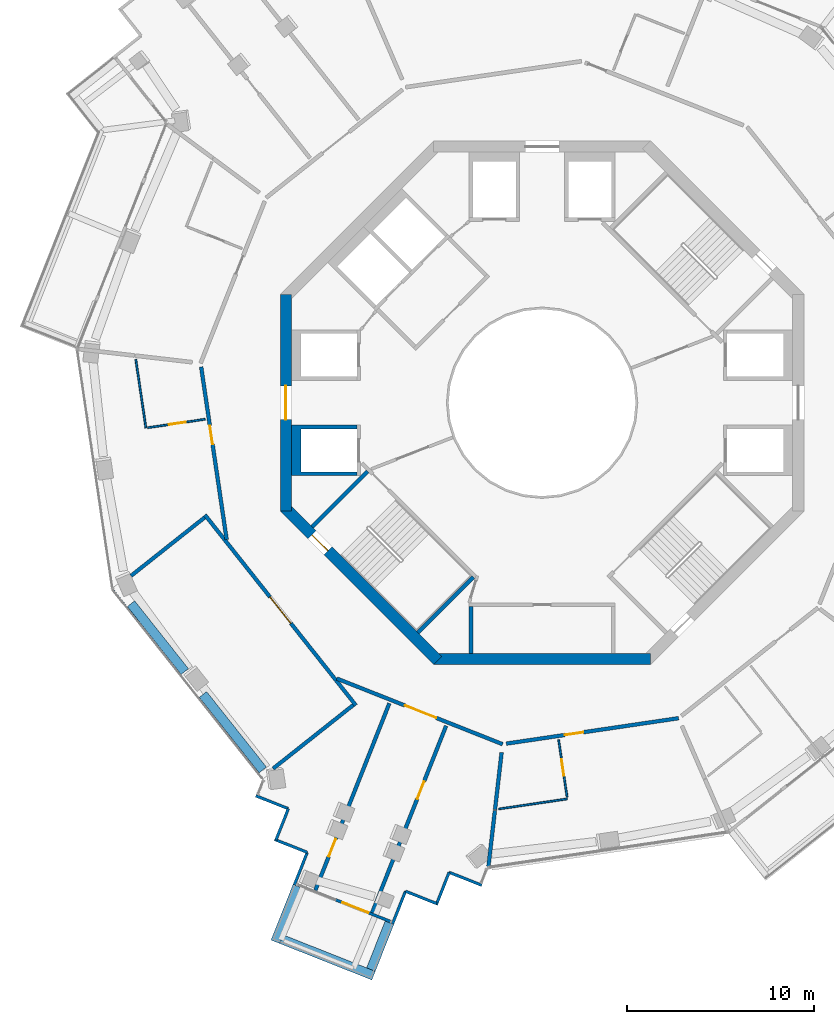
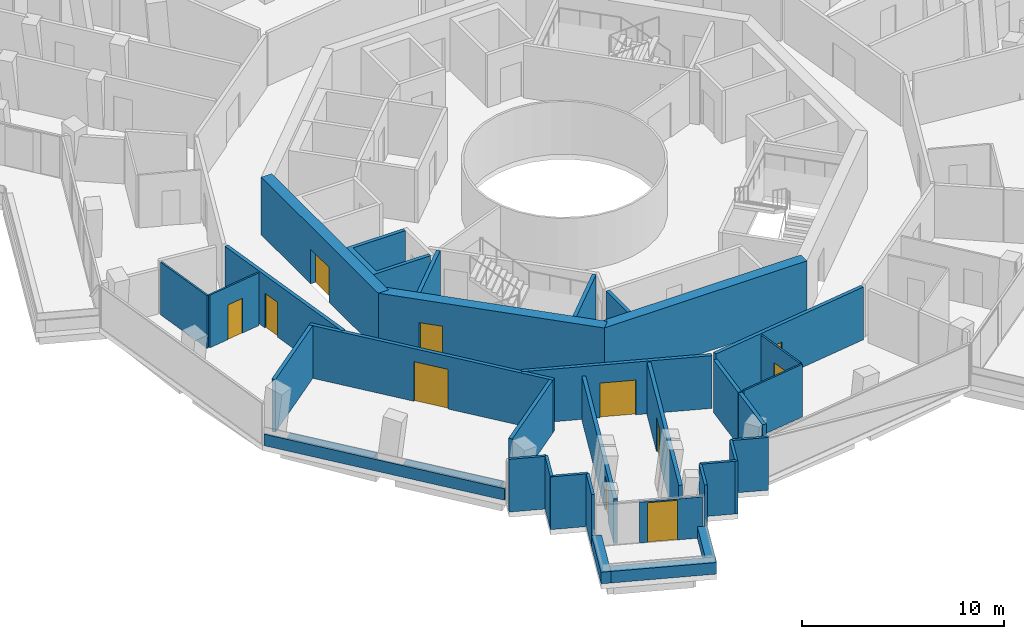
# One storey, part 14 of 21: 36 walls, 11 doors, 11 openings.
"""IFC4 building model written with IfcOpenShell, lengths in metres."""

from ifc_helpers import new_model, si_unit, direction, frame, frame_2d, origin, place, context, subcontext, project, spatial, polyline, rectangle, outline, extrude, material, layer, layer_set, type_object, element, fill, save


model = new_model("IFC4")

# Units and contexts
model_context = context("Model", 3, precision=1e-05, world=origin(), true_north=direction((0.0, 1.0)))
body_context = subcontext(model_context, "Body", "Model", "MODEL_VIEW")
ifc_project = project(units=[si_unit("LENGTHUNIT", "METRE"), si_unit("AREAUNIT", "SQUARE_METRE"), si_unit("VOLUMEUNIT", "CUBIC_METRE"), si_unit("PLANEANGLEUNIT", "RADIAN"), si_unit("MASSUNIT", "GRAM", prefix="KILO")], contexts=[model_context])

# Site, building, storey
site_placement = place(None, origin())
site = spatial("IfcSite", under=ifc_project, at=site_placement, CompositionType="ELEMENT")
building_placement = place(site_placement, origin())
building = spatial("IfcBuilding", under=site, at=building_placement, Name="Verdalira Terraces Hotel", CompositionType="ELEMENT")
storey_placement = place(building_placement, frame((0.0, 0.0, 190.5)))
storey = spatial("IfcBuildingStorey", under=building, at=storey_placement, Name="L46", CompositionType="ELEMENT", Elevation=190.5)

# Walls
ifc_material_1 = material(Name="Concrete C40", Category="concrete")
ifc_layer_1 = layer(ifc_material_1, 0.5)
ifc_layer_set_1 = layer_set([ifc_layer_1], Name="Balcony planter trough with tree")
wall_type_1 = type_object("IfcWallType", Name="Balcony planter trough with tree", PredefinedType="SOLIDWALL", material=ifc_layer_set_1)
wall_1_placement = place(storey_placement, frame((-13.087646, -25.857178, 0.0), z_axis=(0.0, 0.0, 1.0), x_axis=(-0.368151541, -0.9297658, 0.0)))
element("IfcWall", 1, at=wall_1_placement, inside=storey, type_object=wall_type_1, Name="Balcony planter", PredefinedType="SOLIDWALL", context=body_context, shape_type="SweptSolid", body=[
    extrude(rectangle(XDim=3.198975, YDim=0.5, at=frame_2d((1.599609, 0.0))), origin(), (0.0, 0.0, 1.0), 0.699951),
])
wall_2_placement = place(storey_placement, frame((-13.940918, -28.691162, 0.0), z_axis=(0.0, 0.0, 1.0), x_axis=(0.929782965, -0.368108188, 0.0)))
element("IfcWall", 2, at=wall_2_placement, inside=storey, type_object=wall_type_1, Name="Balcony planter", PredefinedType="SOLIDWALL", context=body_context, shape_type="SweptSolid", body=[
    extrude(rectangle(XDim=5.299805, YDim=0.5, at=frame_2d((2.649902, 0.0))), origin(), (0.0, 0.0, 1.0), 0.699951),
])
wall_3_placement = place(storey_placement, frame((-9.153564, -30.317627, 0.0), z_axis=(0.0, 0.0, 1.0), x_axis=(0.368175534, 0.929756299, 0.0)))
element("IfcWall", 3, at=wall_3_placement, inside=storey, type_object=wall_type_1, Name="Balcony planter", PredefinedType="SOLIDWALL", context=body_context, shape_type="SweptSolid", body=[
    extrude(rectangle(XDim=2.698975, YDim=0.5, at=frame_2d((1.349609, 0.0))), origin(), (0.0, 0.0, 1.0), 0.699951),
])
ifc_material_2 = material(Name="Moisture-resistant gypsum board partition")
ifc_layer_2 = layer(ifc_material_2, 0.10009765625)
ifc_layer_set_2 = layer_set([ifc_layer_2], Name="Bathroom partition 100 mm")
wall_type_2 = type_object("IfcWallType", Name="Bathroom partition 100 mm", PredefinedType="PARTITIONING", material=ifc_layer_set_2)
wall_4_placement = place(storey_placement, frame((-21.188232, -1.351318, 0.0), z_axis=(0.0, 0.0, 1.0), x_axis=(-0.14607086, 0.98927413, 0.0)))
element("IfcWall", 4, at=wall_4_placement, inside=storey, type_object=wall_type_2, Name="Bathroom partition", PredefinedType="PARTITIONING", context=body_context, shape_type="SweptSolid", body=[
    extrude(rectangle(XDim=3.703857, YDim=0.100098, at=frame_2d((1.852051, 0.0))), origin(), (0.0, 0.0, 1.0), 3.189941),
])

# Wall, opening, door
wall_5_placement = place(storey_placement, frame((-21.089355, -1.336914, 0.0), z_axis=(0.0, 0.0, 1.0), x_axis=(0.98926089, 0.146160501, 0.0)))
wall_5 = element("IfcWall", 5, at=wall_5_placement, inside=storey, type_object=wall_type_2, Name="Bathroom partition", PredefinedType="PARTITIONING", context=body_context, shape_type="SweptSolid", body=[
    extrude(rectangle(XDim=3.100098, YDim=0.100098, at=frame_2d((1.550049, 0.0))), origin(), (0.0, 0.0, 1.0), 3.189941),
])
opening_1_placement = place(wall_5_placement, frame((1.149902, 0.0, 0.0)))
opening_1 = element("IfcOpeningElement", 6, at=opening_1_placement, cuts=wall_5, Name="Opening L46-107", PredefinedType="OPENING", context=body_context, shape_type="SweptSolid", body=[
    extrude(rectangle(XDim=0.899902, YDim=2.100098, at=frame_2d((0.449951, 1.050049))), frame((0.0, 0.060059, 0.0), z_axis=(0.0, -1.0, 0.0), x_axis=(1.0, 0.0, 0.0)), (0.0, 0.0, 1.0), 0.120117),
])
ifc_material_3 = material(Name="Timber door", Category="wood")
door_type_1 = type_object("IfcDoorType", Name="Bathroom door 900 x 2100", OperationType="NOTDEFINED", PredefinedType="DOOR", material=ifc_material_3)
door_1_placement = place(opening_1_placement, origin())
door_1 = element("IfcDoor", 7, at=door_1_placement, inside=storey, type_object=door_type_1, Name="Bathroom door 4603", OperationType="SINGLE_SWING_LEFT", OverallHeight=2.10009765625, OverallWidth=0.89990234375, PredefinedType="DOOR", context=body_context, shape_type="SweptSolid", body=[
    extrude(rectangle(XDim=0.899902, YDim=2.100098, at=frame_2d((0.449951, 1.050049))), frame((0.0, 0.024902, 0.0), z_axis=(0.0, -1.0, 0.0), x_axis=(1.0, 0.0, 0.0)), (0.0, 0.0, 1.0), 0.050049),
])
fill(opening_1, door_1)

# Wall
wall_6_placement = place(storey_placement, frame((1.351318, -21.188232, 0.0), z_axis=(0.0, 0.0, 1.0), x_axis=(-0.98927413, -0.14607086, 0.0)))
element("IfcWall", 8, at=wall_6_placement, inside=storey, type_object=wall_type_2, Name="Bathroom partition", PredefinedType="PARTITIONING", context=body_context, shape_type="SweptSolid", body=[
    extrude(rectangle(XDim=3.703857, YDim=0.100098, at=frame_2d((1.852051, 0.0))), origin(), (0.0, 0.0, 1.0), 3.189941),
])

# Wall, opening, door
wall_7_placement = place(storey_placement, frame((1.336914, -21.089355, 0.0), z_axis=(0.0, 0.0, 1.0), x_axis=(-0.146160501, 0.98926089, 0.0)))
wall_7 = element("IfcWall", 9, at=wall_7_placement, inside=storey, type_object=wall_type_2, Name="Bathroom partition", PredefinedType="PARTITIONING", context=body_context, shape_type="SweptSolid", body=[
    extrude(rectangle(XDim=3.100098, YDim=0.100098, at=frame_2d((1.550049, 0.0))), origin(), (0.0, 0.0, 1.0), 3.189941),
])
opening_2_placement = place(wall_7_placement, frame((1.149902, 0.0, 0.0)))
opening_2 = element("IfcOpeningElement", 10, at=opening_2_placement, cuts=wall_7, Name="Opening L46-112", PredefinedType="OPENING", context=body_context, shape_type="SweptSolid", body=[
    extrude(rectangle(XDim=0.899902, YDim=2.100098, at=frame_2d((0.449951, 1.050049))), frame((0.0, 0.060059, 0.0), z_axis=(0.0, -1.0, 0.0), x_axis=(1.0, 0.0, 0.0)), (0.0, 0.0, 1.0), 0.120117),
])
door_2_placement = place(opening_2_placement, origin())
door_2 = element("IfcDoor", 11, at=door_2_placement, inside=storey, type_object=door_type_1, Name="Bathroom door 4605", OperationType="SINGLE_SWING_LEFT", OverallHeight=2.10009765625, OverallWidth=0.89990234375, PredefinedType="DOOR", context=body_context, shape_type="SweptSolid", body=[
    extrude(rectangle(XDim=0.899902, YDim=2.100098, at=frame_2d((0.449951, 1.050049))), frame((0.0, 0.024902, 0.0), z_axis=(0.0, -1.0, 0.0), x_axis=(1.0, 0.0, 0.0)), (0.0, 0.0, 1.0), 0.050049),
])
fill(opening_2, door_2)

# Walls
ifc_material_4 = material(Name="Concrete C50", Category="concrete")
ifc_layer_3 = layer(ifc_material_4, 0.199951171875)
ifc_layer_set_3 = layer_set([ifc_layer_3], Name="Core RC wall 200 C50")
wall_type_3 = type_object("IfcWallType", Name="Core RC wall 200 C50", PredefinedType="SOLIDWALL", material=ifc_layer_set_3)
wall_8_placement = place(storey_placement, origin())
element("IfcWall", 12, at=wall_8_placement, inside=storey, type_object=wall_type_3, Name="L46 shaft wall W2", PredefinedType="SOLIDWALL", context=body_context, shape_type="SweptSolid", body=[
    extrude(outline(polyline([(-13.399902, -3.899902), (-13.399902, -1.199951), (-9.899902, -1.199951), (-9.899902, -1.399902), (-12.899902, -1.399902), (-12.899902, -3.699951), (-9.899902, -3.699951), (-9.899902, -3.899902), (-13.399902, -3.899902)])), origin(), (0.0, 0.0, 1.0), 3.189941),
])
wall_9_placement = place(storey_placement, frame((-3.800049, -10.899902, 0.0), z_axis=(0.0, 0.0, 1.0), x_axis=(0.0, -1.0, 0.0)))
element("IfcWall", 13, at=wall_9_placement, inside=storey, type_object=wall_type_3, Name="L46 store side wall", PredefinedType="SOLIDWALL", context=body_context, shape_type="SweptSolid", body=[
    extrude(rectangle(XDim=2.5, YDim=0.199951, at=frame_2d((1.25, 0.0))), origin(), (0.0, 0.0, 1.0), 3.189941),
])
for number, where, z_axis, x_axis, name in (
    (14, (-9.33374, -3.677002, 0.0), (0.0, 0.0, 1.0), (-0.707135845, -0.707077716, 0.0), "L46 stair ST2 end wall 1"),
    (15, (-3.677002, -9.33374, 0.0), (0.0, 0.0, 1.0), (-0.707077716, -0.707135845, 0.0), "L46 stair ST2 end wall 2"),
):
    element("IfcWall", number, at=place(storey_placement, frame(where, z_axis=z_axis, x_axis=x_axis)), inside=storey, type_object=wall_type_3, Name=name, PredefinedType="SOLIDWALL", context=body_context, shape_type="SweptSolid", body=[
        extrude(rectangle(XDim=4.199951, YDim=0.199951, at=frame_2d((2.100098, 0.0))), origin(), (0.0, 0.0, 1.0), 3.189941),
    ])

# Wall, opening, door
ifc_material_5 = material(Name="Concrete C60", Category="concrete")
ifc_layer_4 = layer(ifc_material_5, 0.60009765625)
ifc_layer_set_4 = layer_set([ifc_layer_4], Name="Core wall 600 C60")
wall_type_4 = type_object("IfcWallType", Name="Core wall 600 C60", PredefinedType="SHEAR", material=ifc_layer_set_4)
wall_10_placement = place(storey_placement, frame((-13.699951, 5.799072, 0.0), z_axis=(0.0, 0.0, 1.0), x_axis=(0.0, -1.0, 0.0)))
wall_10 = element("IfcWall", 16, at=wall_10_placement, inside=storey, type_object=wall_type_4, Name="Core wall CW-L46-5", PredefinedType="SHEAR", context=body_context, shape_type="SweptSolid", body=[
    extrude(rectangle(XDim=11.598145, YDim=0.600098, at=frame_2d((5.799072, 0.0))), origin(), (0.0, 0.0, 1.0), 3.5),
])
opening_3_placement = place(wall_10_placement, frame((4.898926, 0.0, 0.0)))
opening_3 = element("IfcOpeningElement", 17, at=opening_3_placement, cuts=wall_10, Name="Opening L46-815", PredefinedType="OPENING", context=body_context, shape_type="SweptSolid", body=[
    extrude(rectangle(XDim=1.800049, YDim=2.100098, at=frame_2d((0.899902, 1.050049))), frame((0.0, 0.310059, 0.0), z_axis=(0.0, -1.0, 0.0), x_axis=(1.0, 0.0, 0.0)), (0.0, 0.0, 1.0), 0.620117),
])
ifc_material_6 = material(Name="Steel fire door", Category="steel")
door_type_2 = type_object("IfcDoorType", Name="Core entry door pair 1800 x 2100", OperationType="NOTDEFINED", PredefinedType="DOOR", material=ifc_material_6)
door_3_placement = place(opening_3_placement, origin())
door_3 = element("IfcDoor", 18, at=door_3_placement, inside=storey, type_object=door_type_2, Name="Core entry door L46 4", OperationType="DOUBLE_DOOR_SINGLE_SWING", OverallHeight=2.10009765625, OverallWidth=1.800048828125, PredefinedType="DOOR", context=body_context, shape_type="SweptSolid", body=[
    extrude(rectangle(XDim=1.800049, YDim=2.100098, at=frame_2d((0.899902, 1.050049))), frame((0.0, 0.024902, 0.0), z_axis=(0.0, -1.0, 0.0), x_axis=(1.0, 0.0, 0.0)), (0.0, 0.0, 1.0), 0.050049),
])
fill(opening_3, door_3)

wall_11_placement = place(storey_placement, frame((-13.787842, -5.586914, 0.0), z_axis=(0.0, 0.0, 1.0), x_axis=(0.707106781, -0.707106781, 0.0)))
wall_11 = element("IfcWall", 19, at=wall_11_placement, inside=storey, type_object=wall_type_4, Name="Core wall CW-L46-6", PredefinedType="SHEAR", context=body_context, shape_type="SweptSolid", body=[
    extrude(rectangle(XDim=11.5979, YDim=0.600098, at=frame_2d((5.798828, 0.0))), origin(), (0.0, 0.0, 1.0), 3.5),
])
opening_4_placement = place(wall_11_placement, frame((2.099121, 0.0, 0.0)))
opening_4 = element("IfcOpeningElement", 20, at=opening_4_placement, cuts=wall_11, Name="Opening L46-817", PredefinedType="OPENING", context=body_context, shape_type="SweptSolid", body=[
    extrude(rectangle(XDim=1.199951, YDim=2.100098, at=frame_2d((0.600098, 1.050049))), frame((0.0, 0.310059, 0.0), z_axis=(0.0, -1.0, 0.0), x_axis=(1.0, 0.0, 0.0)), (0.0, 0.0, 1.0), 0.620117),
])
ifc_material_7 = material(Name="Steel fire door", Category="steel")
door_type_3 = type_object("IfcDoorType", Name="Stair door 1200 x 2100", OperationType="NOTDEFINED", PredefinedType="DOOR", material=ifc_material_7)
door_4_placement = place(opening_4_placement, origin())
door_4 = element("IfcDoor", 21, at=door_4_placement, inside=storey, type_object=door_type_3, Name="Stair exit door ST2 L46", OperationType="SINGLE_SWING_LEFT", OverallHeight=2.10009765625, OverallWidth=1.199951171875, PredefinedType="DOOR", context=body_context, shape_type="SweptSolid", body=[
    extrude(rectangle(XDim=1.199951, YDim=2.100098, at=frame_2d((0.600098, 1.050049))), frame((0.0, 0.024902, 0.0), z_axis=(0.0, -1.0, 0.0), x_axis=(1.0, 0.0, 0.0)), (0.0, 0.0, 1.0), 0.050049),
])
fill(opening_4, door_4)

# Wall
wall_12_placement = place(storey_placement, frame((-5.799072, -13.699951, 0.0), z_axis=(0.0, 0.0, 1.0), x_axis=(1.0, 0.0, 0.0)))
element("IfcWall", 22, at=wall_12_placement, inside=storey, type_object=wall_type_4, Name="Core wall CW-L46-7", PredefinedType="SHEAR", context=body_context, shape_type="SweptSolid", body=[
    extrude(rectangle(XDim=11.598145, YDim=0.600098, at=frame_2d((5.799072, 0.0))), origin(), (0.0, 0.0, 1.0), 3.5),
])

# Wall, opening, door
ifc_material_8 = material(Name="Fire-rated gypsum board wall")
ifc_layer_5 = layer(ifc_material_8, 0.199951171875)
ifc_layer_set_5 = layer_set([ifc_layer_5], Name="Demising wall 200 mm")
wall_type_5 = type_object("IfcWallType", Name="Demising wall 200 mm", PredefinedType="SOLIDWALL", material=ifc_layer_set_5)
wall_13_placement = place(storey_placement, frame((-5.133545, -17.282227, 0.0), z_axis=(0.0, 0.0, 1.0), x_axis=(-0.368118806, -0.929778761, 0.0)))
wall_13 = element("IfcWall", 23, at=wall_13_placement, inside=storey, type_object=wall_type_5, Name="Demising wall", PredefinedType="SOLIDWALL", context=body_context, shape_type="SweptSolid", body=[
    extrude(rectangle(XDim=10.75, YDim=0.199951, at=frame_2d((5.375, 0.0))), origin(), (0.0, 0.0, 1.0), 3.189941),
])
opening_5_placement = place(wall_13_placement, frame((3.199951, 0.0, 0.0)))
opening_5 = element("IfcOpeningElement", 24, at=opening_5_placement, cuts=wall_13, Name="Opening L46-110", PredefinedType="OPENING", context=body_context, shape_type="SweptSolid", body=[
    extrude(rectangle(XDim=1.0, YDim=2.100098, at=frame_2d((0.5, 1.050049))), frame((0.0, 0.109863, 0.0), z_axis=(0.0, -1.0, 0.0), x_axis=(1.0, 0.0, 0.0)), (0.0, 0.0, 1.0), 0.219971),
])
ifc_material_9 = material(Name="Timber fire door", Category="wood")
door_type_4 = type_object("IfcDoorType", Name="Public room door 1000 x 2100", OperationType="NOTDEFINED", PredefinedType="DOOR", material=ifc_material_9)
door_5_placement = place(opening_5_placement, origin())
door_5 = element("IfcDoor", 25, at=door_5_placement, inside=storey, type_object=door_type_4, Name="Public room door 4604", OperationType="SINGLE_SWING_LEFT", OverallHeight=2.10009765625, OverallWidth=1.0, PredefinedType="DOOR", context=body_context, shape_type="SweptSolid", body=[
    extrude(rectangle(XDim=1.0, YDim=2.100098, at=frame_2d((0.5, 1.050049))), frame((0.0, 0.024902, 0.0), z_axis=(0.0, -1.0, 0.0), x_axis=(1.0, 0.0, 0.0)), (0.0, 0.0, 1.0), 0.050049),
])
fill(opening_5, door_5)

# Walls
wall_14_placement = place(storey_placement, frame((-2.523193, -21.807129, 0.0), z_axis=(0.0, 0.0, 1.0), x_axis=(-0.114959513, -0.993370178, 0.0)))
element("IfcWall", 26, at=wall_14_placement, inside=storey, type_object=wall_type_5, Name="Demising wall", PredefinedType="SOLIDWALL", context=body_context, shape_type="SweptSolid", body=[
    extrude(rectangle(XDim=3.011475, YDim=0.199951, at=frame_2d((1.505859, 0.0))), origin(), (0.0, 0.0, 1.0), 3.189941),
])
wall_15_placement = place(storey_placement, frame((-2.164551, -18.707275, 0.0), z_axis=(0.0, 0.0, 1.0), x_axis=(-0.114901389, -0.993376903, 0.0)))
element("IfcWall", 27, at=wall_15_placement, inside=storey, type_object=wall_type_5, Name="Demising wall", PredefinedType="SOLIDWALL", context=body_context, shape_type="SweptSolid", body=[
    extrude(rectangle(XDim=3.074463, YDim=0.199951, at=frame_2d((1.537109, 0.0))), origin(), (0.0, 0.0, 1.0), 3.189941),
])

# Wall, opening, door
ifc_material_10 = material(Name="Fire-rated gypsum board wall")
ifc_layer_6 = layer(ifc_material_10, 0.199951171875)
ifc_layer_set_6 = layer_set([ifc_layer_6], Name="Demising wall 200 mm to beam soffit")
wall_type_6 = type_object("IfcWallType", Name="Demising wall 200 mm to beam soffit", PredefinedType="SOLIDWALL", material=ifc_layer_set_6)
wall_16_placement = place(storey_placement, frame((-12.126221, -26.075439, 0.0), z_axis=(0.0, 0.0, 1.0), x_axis=(0.368118806, 0.929778761, 0.0)))
wall_16 = element("IfcWall", 28, at=wall_16_placement, inside=storey, type_object=wall_type_6, Name="Demising wall", PredefinedType="SOLIDWALL", context=body_context, shape_type="SweptSolid", body=[
    extrude(rectangle(XDim=10.75, YDim=0.199951, at=frame_2d((5.375, 0.0))), origin(), (0.0, 0.0, 1.0), 2.689941),
])
opening_6_placement = place(wall_16_placement, frame((1.949951, 0.0, 0.0)))
opening_6 = element("IfcOpeningElement", 29, at=opening_6_placement, cuts=wall_16, Name="Opening L46-109", PredefinedType="OPENING", context=body_context, shape_type="SweptSolid", body=[
    extrude(rectangle(XDim=1.0, YDim=2.100098, at=frame_2d((0.5, 1.050049))), frame((0.0, 0.109863, 0.0), z_axis=(0.0, -1.0, 0.0), x_axis=(1.0, 0.0, 0.0)), (0.0, 0.0, 1.0), 0.219971),
])
door_6_placement = place(opening_6_placement, origin())
door_6 = element("IfcDoor", 30, at=door_6_placement, inside=storey, type_object=door_type_4, Name="Public room door 4604", OperationType="SINGLE_SWING_LEFT", OverallHeight=2.10009765625, OverallWidth=1.0, PredefinedType="DOOR", context=body_context, shape_type="SweptSolid", body=[
    extrude(rectangle(XDim=1.0, YDim=2.100098, at=frame_2d((0.5, 1.050049))), frame((0.0, 0.024902, 0.0), z_axis=(0.0, -1.0, 0.0), x_axis=(1.0, 0.0, 0.0)), (0.0, 0.0, 1.0), 0.050049),
])
fill(opening_6, door_6)

ifc_material_11 = material(Name="Fire-rated gypsum board wall")
ifc_layer_7 = layer(ifc_material_11, 0.199951171875)
ifc_layer_set_7 = layer_set([ifc_layer_7], Name="Guest corridor wall 200 mm")
wall_type_7 = type_object("IfcWallType", Name="Guest corridor wall 200 mm", PredefinedType="SOLIDWALL", material=ifc_layer_set_7)
wall_17_placement = place(storey_placement, frame((-16.869873, -7.321289, 0.0), z_axis=(0.0, 0.0, 1.0), x_axis=(-0.146065336, 0.989274945, 0.0)))
wall_17 = element("IfcWall", 31, at=wall_17_placement, inside=storey, type_object=wall_type_7, Name="Guest corridor wall", PredefinedType="SOLIDWALL", context=body_context, shape_type="SweptSolid", body=[
    extrude(rectangle(XDim=9.33667, YDim=0.199951, at=frame_2d((4.668457, 0.0))), origin(), (0.0, 0.0, 1.0), 3.189941),
])
opening_7_placement = place(wall_17_placement, frame((5.149902, 0.0, 0.0)))
opening_7 = element("IfcOpeningElement", 32, at=opening_7_placement, cuts=wall_17, Name="Opening L46-106", PredefinedType="OPENING", context=body_context, shape_type="SweptSolid", body=[
    extrude(rectangle(XDim=1.0, YDim=2.100098, at=frame_2d((0.5, 1.050049))), frame((0.0, 0.109863, 0.0), z_axis=(0.0, -1.0, 0.0), x_axis=(1.0, 0.0, 0.0)), (0.0, 0.0, 1.0), 0.219971),
])
ifc_material_12 = material(Name="Timber fire door", Category="wood")
door_type_5 = type_object("IfcDoorType", Name="Guest entry door 1000 x 2100", OperationType="NOTDEFINED", PredefinedType="DOOR", material=ifc_material_12)
door_7_placement = place(opening_7_placement, origin())
door_7 = element("IfcDoor", 33, at=door_7_placement, inside=storey, type_object=door_type_5, Name="Guest entry door 4603", OperationType="SINGLE_SWING_LEFT", OverallHeight=2.10009765625, OverallWidth=1.0, PredefinedType="DOOR", context=body_context, shape_type="SweptSolid", body=[
    extrude(rectangle(XDim=1.0, YDim=2.100098, at=frame_2d((0.5, 1.050049))), frame((0.0, 0.024902, 0.0), z_axis=(0.0, -1.0, 0.0), x_axis=(1.0, 0.0, 0.0)), (0.0, 0.0, 1.0), 0.050049),
])
fill(opening_7, door_7)

wall_18_placement = place(storey_placement, frame((-2.113037, -18.262939, 0.0), z_axis=(0.0, 0.0, 1.0), x_axis=(-0.929773939, 0.368130985, 0.0)))
wall_18 = element("IfcWall", 34, at=wall_18_placement, inside=storey, type_object=wall_type_7, Name="Guest corridor wall", PredefinedType="SOLIDWALL", context=body_context, shape_type="SweptSolid", body=[
    extrude(rectangle(XDim=9.536621, YDim=0.199951, at=frame_2d((4.768311, 0.0))), origin(), (0.0, 0.0, 1.0), 3.189941),
])
opening_8_placement = place(wall_18_placement, frame((3.819336, 0.0, 0.0)))
opening_8 = element("IfcOpeningElement", 35, at=opening_8_placement, cuts=wall_18, Name="Opening L46-108", PredefinedType="OPENING", context=body_context, shape_type="SweptSolid", body=[
    extrude(rectangle(XDim=1.800049, YDim=2.100098, at=frame_2d((0.899902, 1.050049))), frame((0.0, 0.109863, 0.0), z_axis=(0.0, -1.0, 0.0), x_axis=(1.0, 0.0, 0.0)), (0.0, 0.0, 1.0), 0.219971),
])
ifc_material_13 = material(Name="Timber fire door", Category="wood")
door_type_6 = type_object("IfcDoorType", Name="Public room double door 1800 x 2100", OperationType="NOTDEFINED", PredefinedType="DOOR", material=ifc_material_13)
door_8_placement = place(opening_8_placement, origin())
door_8 = element("IfcDoor", 36, at=door_8_placement, inside=storey, type_object=door_type_6, Name="Public room double door 4604", OperationType="DOUBLE_DOOR_SINGLE_SWING", OverallHeight=2.10009765625, OverallWidth=1.800048828125, PredefinedType="DOOR", context=body_context, shape_type="SweptSolid", body=[
    extrude(rectangle(XDim=1.800049, YDim=2.100098, at=frame_2d((0.899902, 1.050049))), frame((0.0, 0.024902, 0.0), z_axis=(0.0, -1.0, 0.0), x_axis=(1.0, 0.0, 0.0)), (0.0, 0.0, 1.0), 0.050049),
])
fill(opening_8, door_8)

wall_19_placement = place(storey_placement, frame((7.301514, -16.872803, 0.0), z_axis=(0.0, 0.0, 1.0), x_axis=(-0.989275099, -0.146064299, 0.0)))
wall_19 = element("IfcWall", 37, at=wall_19_placement, inside=storey, type_object=wall_type_7, Name="Guest corridor wall", PredefinedType="SOLIDWALL", context=body_context, shape_type="SweptSolid", body=[
    extrude(rectangle(XDim=9.31665, YDim=0.199951, at=frame_2d((4.658203, 0.0))), origin(), (0.0, 0.0, 1.0), 3.189941),
])
opening_9_placement = place(wall_19_placement, frame((5.149902, 0.0, 0.0)))
opening_9 = element("IfcOpeningElement", 38, at=opening_9_placement, cuts=wall_19, Name="Opening L46-111", PredefinedType="OPENING", context=body_context, shape_type="SweptSolid", body=[
    extrude(rectangle(XDim=1.0, YDim=2.100098, at=frame_2d((0.5, 1.050049))), frame((0.0, 0.109863, 0.0), z_axis=(0.0, -1.0, 0.0), x_axis=(1.0, 0.0, 0.0)), (0.0, 0.0, 1.0), 0.219971),
])
door_9_placement = place(opening_9_placement, origin())
door_9 = element("IfcDoor", 39, at=door_9_placement, inside=storey, type_object=door_type_5, Name="Guest entry door 4605", OperationType="SINGLE_SWING_LEFT", OverallHeight=2.10009765625, OverallWidth=1.0, PredefinedType="DOOR", context=body_context, shape_type="SweptSolid", body=[
    extrude(rectangle(XDim=1.0, YDim=2.100098, at=frame_2d((0.5, 1.050049))), frame((0.0, 0.024902, 0.0), z_axis=(0.0, -1.0, 0.0), x_axis=(1.0, 0.0, 0.0)), (0.0, 0.0, 1.0), 0.050049),
])
fill(opening_9, door_9)

ifc_material_14 = material(Name="Terracotta cladding", Category="masonry")
ifc_layer_8 = layer(ifc_material_14, 0.199951171875)
ifc_layer_set_8 = layer_set([ifc_layer_8], Name="Loggia back wall 200")
wall_type_8 = type_object("IfcWallType", Name="Loggia back wall 200", PredefinedType="SOLIDWALL", material=ifc_layer_set_8)
wall_20_placement = place(storey_placement, frame((-9.958008, -16.186768, 0.0), z_axis=(0.0, 0.0, 1.0), x_axis=(-0.621141056, 0.783698787, 0.0)))
wall_20 = element("IfcWall", 40, at=wall_20_placement, inside=storey, type_object=wall_type_8, Name="Loggia back wall", PredefinedType="SOLIDWALL", context=body_context, shape_type="SweptSolid", body=[
    extrude(rectangle(XDim=13.000244, YDim=0.199951, at=frame_2d((6.5, 0.0))), origin(), (0.0, 0.0, 1.0), 3.189941),
])
opening_10_placement = place(wall_20_placement, frame((5.600098, 0.0, 0.0)))
opening_10 = element("IfcOpeningElement", 41, at=opening_10_placement, cuts=wall_20, Name="Opening L46-L01", PredefinedType="OPENING", context=body_context, shape_type="SweptSolid", body=[
    extrude(rectangle(XDim=1.800049, YDim=2.399902, at=frame_2d((0.899902, 1.199951))), frame((0.0, 0.109863, 0.0), z_axis=(0.0, -1.0, 0.0), x_axis=(1.0, 0.0, 0.0)), (0.0, 0.0, 1.0), 0.219971),
])
ifc_material_15 = material(Name="Clear glass", Category="glass")
door_type_7 = type_object("IfcDoorType", Name="Garden double door 1800x2400", OperationType="NOTDEFINED", PredefinedType="DOOR", material=ifc_material_15)
door_10_placement = place(opening_10_placement, origin())
door_10 = element("IfcDoor", 42, at=door_10_placement, inside=storey, type_object=door_type_7, Name="Loggia double door", OperationType="DOUBLE_DOOR_SINGLE_SWING", OverallHeight=2.39990234375, OverallWidth=1.800048828125, PredefinedType="DOOR", context=body_context, shape_type="SweptSolid", body=[
    extrude(rectangle(XDim=1.800049, YDim=2.399902, at=frame_2d((0.899902, 1.199951))), frame((0.0, 0.024902, 0.0), z_axis=(0.0, -1.0, 0.0), x_axis=(1.0, 0.0, 0.0)), (0.0, 0.0, 1.0), 0.050049),
])
fill(opening_10, door_10)

# Walls
wall_21_placement = place(storey_placement, frame((-21.983887, -9.257812, 0.0), z_axis=(0.0, 0.0, 1.0), x_axis=(0.783697642, 0.6211425, 0.0)))
element("IfcWall", 43, at=wall_21_placement, inside=storey, type_object=wall_type_8, Name="Loggia side wall", PredefinedType="SOLIDWALL", context=body_context, shape_type="SweptSolid", body=[
    extrude(rectangle(XDim=5.020752, YDim=0.199951, at=frame_2d((2.510254, 0.0))), origin(), (0.0, 0.0, 1.0), 3.189941),
])
wall_22_placement = place(storey_placement, frame((-14.387695, -19.570068, 0.0), z_axis=(0.0, 0.0, 1.0), x_axis=(0.783693844, 0.621147292, 0.0)))
element("IfcWall", 44, at=wall_22_placement, inside=storey, type_object=wall_type_8, Name="Loggia side wall", PredefinedType="SOLIDWALL", context=body_context, shape_type="SweptSolid", body=[
    extrude(rectangle(XDim=5.473145, YDim=0.199951, at=frame_2d((2.736572, 0.0))), origin(), (0.0, 0.0, 1.0), 3.189941),
])
ifc_material_16 = material(Name="Concrete C40", Category="concrete")
ifc_layer_9 = layer(ifc_material_16, 0.5)
ifc_layer_set_9 = layer_set([ifc_layer_9], Name="Loggia planter trough with tree")
wall_type_9 = type_object("IfcWallType", Name="Loggia planter trough with tree", PredefinedType="SOLIDWALL", material=ifc_layer_set_9)
wall_23_placement = place(storey_placement, frame((-21.987061, -10.75, 0.0), z_axis=(0.0, 0.0, 1.0), x_axis=(0.621186078, -0.783663102, 0.0)))
element("IfcWall", 45, at=wall_23_placement, inside=storey, type_object=wall_type_9, Name="Loggia planter", PredefinedType="SOLIDWALL", context=body_context, shape_type="SweptSolid", body=[
    extrude(rectangle(XDim=4.632568, YDim=0.5, at=frame_2d((2.316406, 0.0))), origin(), (0.0, 0.0, 1.0), 0.699951),
])
wall_24_placement = place(storey_placement, frame((-18.139648, -15.604004, 0.0), z_axis=(0.0, 0.0, 1.0), x_axis=(0.621151934, -0.783690165, 0.0)))
element("IfcWall", 46, at=wall_24_placement, inside=storey, type_object=wall_type_9, Name="Loggia planter", PredefinedType="SOLIDWALL", context=body_context, shape_type="SweptSolid", body=[
    extrude(rectangle(XDim=5.1521, YDim=0.5, at=frame_2d((2.576172, 0.0))), origin(), (0.0, 0.0, 1.0), 0.699951),
])
ifc_material_17 = material(Name="Concrete C40", Category="concrete")
ifc_layer_10 = layer(ifc_material_17, 0.10009765625)
ifc_layer_set_10 = layer_set([ifc_layer_10], Name="Loggia upstand 100")
wall_type_10 = type_object("IfcWallType", Name="Loggia upstand 100", PredefinedType="SOLIDWALL", material=ifc_layer_set_10)
wall_25_placement = place(storey_placement, frame((-22.959717, -10.005615, 0.0), z_axis=(0.0, 0.0, 1.0), x_axis=(0.621145542, -0.783695231, 0.0)))
element("IfcWall", 47, at=wall_25_placement, inside=storey, type_object=wall_type_10, Name="Loggia upstand", PredefinedType="SOLIDWALL", context=body_context, shape_type="SweptSolid", body=[
    extrude(rectangle(XDim=12.840088, YDim=0.100098, at=frame_2d((6.419922, 0.0))), origin(), (0.0, 0.0, 1.0), 0.699951),
])
ifc_material_18 = material(Name="Terracotta cladding", Category="masonry")
ifc_layer_11 = layer(ifc_material_18, 0.14990234375)
ifc_layer_set_11 = layer_set([ifc_layer_11], Name="Terracotta clad wall 150")
wall_type_11 = type_object("IfcWallType", Name="Terracotta clad wall 150", PredefinedType="SOLIDWALL", material=ifc_layer_set_11)
wall_26_placement = place(storey_placement, frame((-15.314209, -21.021973, 0.0), z_axis=(0.0, 0.0, 1.0), x_axis=(0.929746265, -0.368200873, 0.0)))
element("IfcWall", 48, at=wall_26_placement, inside=storey, type_object=wall_type_11, Name="Terracotta cladding wall", PredefinedType="SOLIDWALL", context=body_context, shape_type="SweptSolid", body=[
    extrude(rectangle(XDim=1.875244, YDim=0.149902, at=frame_2d((0.9375, 0.0))), origin(), (0.0, 0.0, 1.0), 3.189941),
])
wall_27_placement = place(storey_placement, frame((-13.570801, -21.712402, 0.0), z_axis=(0.0, 0.0, 1.0), x_axis=(-0.36811441, -0.929780502, 0.0)))
element("IfcWall", 49, at=wall_27_placement, inside=storey, type_object=wall_type_11, Name="Terracotta cladding wall", PredefinedType="SOLIDWALL", context=body_context, shape_type="SweptSolid", body=[
    extrude(rectangle(XDim=1.800049, YDim=0.149902, at=frame_2d((0.899902, 0.0))), origin(), (0.0, 0.0, 1.0), 3.189941),
])
wall_28_placement = place(storey_placement, frame((-14.303223, -23.358398, 0.0), z_axis=(0.0, 0.0, 1.0), x_axis=(0.929790831, -0.368088318, 0.0)))
element("IfcWall", 50, at=wall_28_placement, inside=storey, type_object=wall_type_11, Name="Terracotta cladding wall", PredefinedType="SOLIDWALL", context=body_context, shape_type="SweptSolid", body=[
    extrude(rectangle(XDim=1.875, YDim=0.149902, at=frame_2d((0.9375, 0.0))), origin(), (0.0, 0.0, 1.0), 3.189941),
])
wall_29_placement = place(storey_placement, frame((-12.559814, -24.048584, 0.0), z_axis=(0.0, 0.0, 1.0), x_axis=(-0.368132885, -0.929773187, 0.0)))
element("IfcWall", 51, at=wall_29_placement, inside=storey, type_object=wall_type_11, Name="Terracotta cladding wall", PredefinedType="SOLIDWALL", context=body_context, shape_type="SweptSolid", body=[
    extrude(rectangle(XDim=1.874756, YDim=0.149902, at=frame_2d((0.9375, 0.0))), origin(), (0.0, 0.0, 1.0), 3.189941),
])
wall_30_placement = place(storey_placement, frame((-7.996826, -27.871826, 0.0), z_axis=(0.0, 0.0, 1.0), x_axis=(0.368088318, 0.929790831, 0.0)))
element("IfcWall", 52, at=wall_30_placement, inside=storey, type_object=wall_type_11, Name="Terracotta cladding wall", PredefinedType="SOLIDWALL", context=body_context, shape_type="SweptSolid", body=[
    extrude(rectangle(XDim=1.875, YDim=0.149902, at=frame_2d((0.9375, 0.0))), origin(), (0.0, 0.0, 1.0), 3.189941),
])
wall_31_placement = place(storey_placement, frame((-7.306641, -26.128418, 0.0), z_axis=(0.0, 0.0, 1.0), x_axis=(0.929780502, -0.36811441, 0.0)))
element("IfcWall", 53, at=wall_31_placement, inside=storey, type_object=wall_type_11, Name="Terracotta cladding wall", PredefinedType="SOLIDWALL", context=body_context, shape_type="SweptSolid", body=[
    extrude(rectangle(XDim=1.800049, YDim=0.149902, at=frame_2d((0.899902, 0.0))), origin(), (0.0, 0.0, 1.0), 3.189941),
])
for number, where, z_axis, x_axis, name in (
    (54, (-5.660645, -26.86084, 0.0), (0.0, 0.0, 1.0), (0.368088318, 0.929790831, 0.0), "Terracotta cladding wall"),
    (55, (-4.970459, -25.117432, 0.0), (0.0, 0.0, 1.0), (0.929790831, -0.368088318, 0.0), "Terracotta cladding wall"),
):
    element("IfcWall", number, at=place(storey_placement, frame(where, z_axis=z_axis, x_axis=x_axis)), inside=storey, type_object=wall_type_11, Name=name, PredefinedType="SOLIDWALL", context=body_context, shape_type="SweptSolid", body=[
        extrude(rectangle(XDim=1.875, YDim=0.149902, at=frame_2d((0.9375, 0.0))), origin(), (0.0, 0.0, 1.0), 3.189941),
    ])

# Wall, opening, door
ifc_material_19 = material(Name="Terracotta cladding", Category="masonry")
ifc_layer_12 = layer(ifc_material_19, 0.14990234375)
ifc_layer_set_12 = layer_set([ifc_layer_12], Name="Terracotta door pier 150")
wall_type_12 = type_object("IfcWallType", Name="Terracotta door pier 150", PredefinedType="SOLIDWALL", material=ifc_layer_set_12)
wall_32_placement = place(storey_placement, frame((-11.051514, -26.581787, 0.0), z_axis=(0.0, 0.0, 1.0), x_axis=(0.929802757, -0.368058192, 0.0)))
wall_32 = element("IfcWall", 56, at=wall_32_placement, inside=storey, type_object=wall_type_12, Name="Terracotta door pier", PredefinedType="SOLIDWALL", context=body_context, shape_type="SweptSolid", body=[
    extrude(rectangle(XDim=3.160156, YDim=0.149902, at=frame_2d((1.580078, 0.0))), origin(), (0.0, 0.0, 1.0), 2.475098),
])
opening_11_placement = place(wall_32_placement, frame((0.399902, 0.0, 0.0)))
opening_11 = element("IfcOpeningElement", 57, at=opening_11_placement, cuts=wall_32, Name="Opening L46-B06", PredefinedType="OPENING", context=body_context, shape_type="SweptSolid", body=[
    extrude(rectangle(XDim=1.5, YDim=2.399902, at=frame_2d((0.75, 1.199951))), frame((0.0, 0.084961, 0.0), z_axis=(0.0, -1.0, 0.0), x_axis=(1.0, 0.0, 0.0)), (0.0, 0.0, 1.0), 0.169922),
])
ifc_material_20 = material(Name="Clear glass", Category="glass")
door_type_8 = type_object("IfcDoorType", Name="Balcony sliding door 1500x2400", OperationType="NOTDEFINED", PredefinedType="DOOR", material=ifc_material_20)
door_11_placement = place(opening_11_placement, origin())
door_11 = element("IfcDoor", 58, at=door_11_placement, inside=storey, type_object=door_type_8, Name="Balcony sliding door", OperationType="SLIDING_TO_RIGHT", OverallHeight=2.39990234375, OverallWidth=1.5, PredefinedType="DOOR", context=body_context, shape_type="SweptSolid", body=[
    extrude(rectangle(XDim=1.5, YDim=2.399902, at=frame_2d((0.75, 1.199951))), frame((0.0, 0.024902, 0.0), z_axis=(0.0, -1.0, 0.0), x_axis=(1.0, 0.0, 0.0)), (0.0, 0.0, 1.0), 0.050049),
])
fill(opening_11, door_11)

save(model, "model.ifc")
